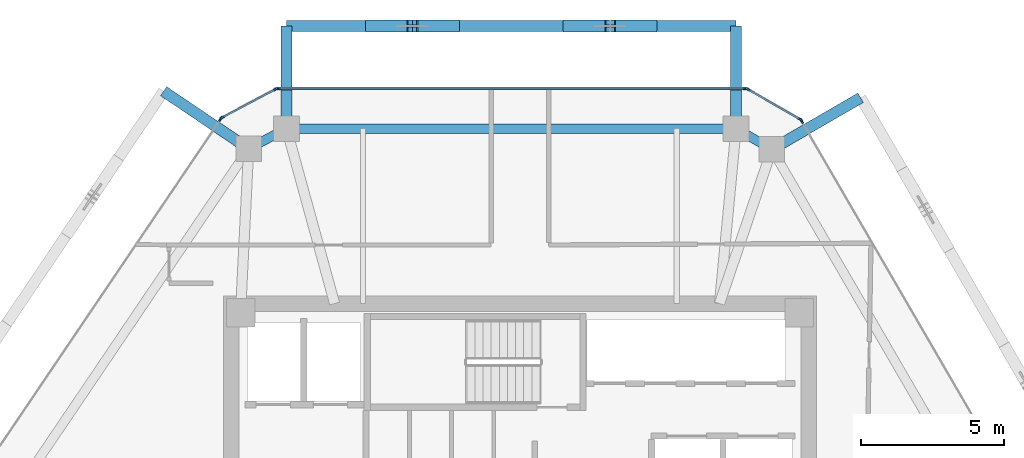
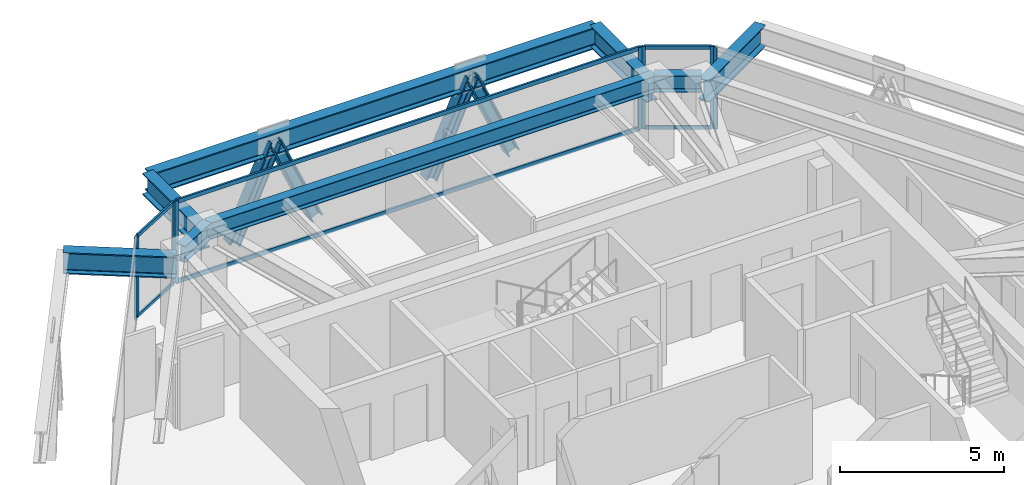
# One storey, part 6 of 12: 18 members, 8 beams, 5 elements without a shape of their own.
"""IFC4 building model written with IfcOpenShell, lengths in metres."""

from ifc_helpers import new_model, si_unit, direction, frame, origin, origin_2d, place, context, subcontext, project, spatial, rectangle, i_section, extrude, source, transform, mapped, material, layer, layer_set, material_profile, profile_set, type_object, type_shapes, element, aggregate, save


model = new_model("IFC4")

# Units and contexts
model_context = context("Model", 3, precision=1e-05, world=origin(), true_north=direction((0.0, 1.0)))
body_context = subcontext(model_context, "Body", "Model", "MODEL_VIEW")
ifc_project = project(units=[si_unit("LENGTHUNIT", "METRE"), si_unit("AREAUNIT", "SQUARE_METRE"), si_unit("VOLUMEUNIT", "CUBIC_METRE"), si_unit("PLANEANGLEUNIT", "RADIAN"), si_unit("MASSUNIT", "GRAM", prefix="KILO")], contexts=[model_context])

# Site, building, storey
site_placement = place(None, origin())
site = spatial("IfcSite", under=ifc_project, at=site_placement, CompositionType="ELEMENT")
building_placement = place(site_placement, origin())
building = spatial("IfcBuilding", under=site, at=building_placement, Name="Durnholm Broadcast Tower", CompositionType="ELEMENT")
storey_placement = place(building_placement, frame((0.0, 0.0, 221.60009765625)))
storey = spatial("IfcBuildingStorey", under=building, at=storey_placement, Name="L61", CompositionType="ELEMENT", Elevation=221.60009765625)

# Beams
ifc_material_1 = material(Name="Steel ASTM A992 Grade 50", Category="steel")
ifc_material_profile_1 = material_profile(ifc_material_1, i_section(OverallWidth=0.385009765625, OverallDepth=0.802978515625, WebThickness=0.023681640625, FlangeThickness=0.0419921875, FilletRadius=0.032958984375, at=origin_2d()), Name="W30X261")
ifc_profile_set_1 = profile_set([ifc_material_profile_1], Name="Steel ASTM A992 Grade 50")
beam_type_1 = type_object("IfcBeamType", Name="BM-EXO-TIE", PredefinedType="USERDEFINED", material=ifc_profile_set_1)
shared_shape_1 = source(origin(), body_context, "Body", "SweptSolid", [
    extrude(i_section(OverallWidth=0.385009765625, OverallDepth=0.802978515625, WebThickness=0.023681640625, FlangeThickness=0.0419921875, FilletRadius=0.032958984375, at=origin_2d()), origin(), (0.0, 0.0, 1.0), 3.4560546875),
])
for number, where, z_axis, x_axis, name in (
    (1, (7.57958984375, 14.406005859375, 2.308349609375), (0.0, 1.0, 0.0), (-1.0, 0.0, 0.0), "L61 exoskeleton stand-off tie bracket F4.1"),
    (2, (-8.187744140625, 14.406005859375, 2.308349609375), (0.0, 1.0, 0.0), (-1.0, 0.0, 0.0), "L61 exoskeleton stand-off tie bracket F4.2"),
):
    element("IfcBeam", number, at=place(storey_placement, frame(where, z_axis=z_axis, x_axis=x_axis)), inside=storey, type_object=beam_type_1, Name=name, ObjectType="GIRDER", PredefinedType="USERDEFINED", context=body_context, shape_type="MappedRepresentation", body=[
        mapped(shared_shape_1, transform((0.0, 0.0, 0.0), x_axis=(1.0, 0.0, 0.0), y_axis=(0.0, 1.0, 0.0), z_axis=(0.0, 0.0, 1.0), scale=1.0)),
    ])
shared_shape_2 = source(origin(), body_context, "Body", "SweptSolid", [
    extrude(i_section(OverallWidth=0.385009765625, OverallDepth=0.802978515625, WebThickness=0.023681640625, FlangeThickness=0.0419921875, FilletRadius=0.032958984375, at=origin_2d()), origin(), (0.0, 0.0, 1.0), 3.455810546875),
])
for number, where, z_axis, x_axis, name in (
    (3, (8.9619140625, 13.610107421875, 2.308349609375), (0.864906682814, 0.501932694715, 0.0), (-0.501932694715, 0.864906682814, 0.0), "L61 exoskeleton stand-off tie bracket F3.2"),
    (4, (-9.63427734375, 13.637939453125, 2.308349609375), (-0.828446342252, 0.560068440469, 0.0), (-0.560068440469, -0.828446342252, 0.0), "L61 exoskeleton stand-off tie bracket F5.1"),
):
    element("IfcBeam", number, at=place(storey_placement, frame(where, z_axis=z_axis, x_axis=x_axis)), inside=storey, type_object=beam_type_1, Name=name, ObjectType="GIRDER", PredefinedType="USERDEFINED", context=body_context, shape_type="MappedRepresentation", body=[
        mapped(shared_shape_2, transform((0.0, 0.0, 0.0), x_axis=(1.0, 0.0, 0.0), y_axis=(0.0, 1.0, 0.0), z_axis=(0.0, 0.0, 1.0), scale=1.0)),
    ])
ifc_material_profile_2 = material_profile(ifc_material_1, i_section(OverallWidth=0.3251953125, OverallDepth=0.6162109375, WebThickness=0.013916015625, FlangeThickness=0.021484375, FilletRadius=0.02783203125, at=origin_2d()), Name="W24X117")
ifc_profile_set_2 = profile_set([ifc_material_profile_2], Name="Steel ASTM A992 Grade 50")
beam_type_2 = type_object("IfcBeamType", Name="STL-SP-W24X117", PredefinedType="SPANDREL", material=ifc_profile_set_2)
shared_shape_3 = source(origin(), body_context, "Body", "SweptSolid", [
    extrude(i_section(OverallWidth=0.3251953125, OverallDepth=0.6162109375, WebThickness=0.013916015625, FlangeThickness=0.021484375, FilletRadius=0.02783203125, at=origin_2d()), origin(), (0.0, 0.0, 1.0), 1.502685546875),
])
beam_1_placement = place(storey_placement, frame((-9.514892578125, 13.557373046875, 2.73681640625), z_axis=(0.883241909673, 0.468917614296, 0.0), x_axis=(-0.468917614296, 0.883241909673, 0.0)))
element("IfcBeam", 5, at=beam_1_placement, inside=storey, type_object=beam_type_2, Name="L61 perimeter spandrel girder 04", PredefinedType="SPANDREL", context=body_context, shape_type="MappedRepresentation", body=[
    mapped(shared_shape_3, transform((0.0, 0.0, 0.0), x_axis=(1.0, 0.0, 0.0), y_axis=(0.0, 1.0, 0.0), z_axis=(0.0, 0.0, 1.0), scale=1.0)),
])
shared_shape_4 = source(origin(), body_context, "Body", "SweptSolid", [
    extrude(i_section(OverallWidth=0.3251953125, OverallDepth=0.6162109375, WebThickness=0.013916015625, FlangeThickness=0.021484375, FilletRadius=0.02783203125, at=origin_2d()), origin(), (0.0, 0.0, 1.0), 15.767333984375),
])
beam_2_placement = place(storey_placement, frame((-8.187744140625, 14.261962890625, 2.73681640625), z_axis=(1.0, 0.0, 0.0), x_axis=(0.0, 1.0, 0.0)))
element("IfcBeam", 6, at=beam_2_placement, inside=storey, type_object=beam_type_2, Name="L61 perimeter spandrel girder 05", PredefinedType="SPANDREL", context=body_context, shape_type="MappedRepresentation", body=[
    mapped(shared_shape_4, transform((0.0, 0.0, 0.0), x_axis=(1.0, 0.0, 0.0), y_axis=(0.0, 1.0, 0.0), z_axis=(0.0, 0.0, 1.0), scale=1.0)),
])
shared_shape_5 = source(origin(), body_context, "Body", "SweptSolid", [
    extrude(i_section(OverallWidth=0.3251953125, OverallDepth=0.6162109375, WebThickness=0.013916015625, FlangeThickness=0.021484375, FilletRadius=0.02783203125, at=origin_2d()), origin(), (0.0, 0.0, 1.0), 1.451416015625),
])
type_shapes(beam_type_2, [shared_shape_3, shared_shape_4, shared_shape_5])
beam_3_placement = place(storey_placement, frame((7.57958984375, 14.261962890625, 2.73681640625), z_axis=(0.866571760088, -0.499052486836, 0.0), x_axis=(0.499052486836, 0.866571760088, 0.0)))
element("IfcBeam", 7, at=beam_3_placement, inside=storey, type_object=beam_type_2, Name="L61 perimeter spandrel girder 06", PredefinedType="SPANDREL", context=body_context, shape_type="MappedRepresentation", body=[
    mapped(shared_shape_5, transform((0.0, 0.0, 0.0), x_axis=(1.0, 0.0, 0.0), y_axis=(0.0, 1.0, 0.0), z_axis=(0.0, 0.0, 1.0), scale=1.0)),
])
shared_shape_6 = source(origin(), body_context, "Body", "SweptSolid", [
    extrude(i_section(OverallWidth=0.385009765625, OverallDepth=0.802978515625, WebThickness=0.023681640625, FlangeThickness=0.0419921875, FilletRadius=0.032958984375, at=origin_2d()), origin(), (0.0, 0.0, 1.0), 15.767333984375),
])
type_shapes(beam_type_1, [shared_shape_1, shared_shape_2, shared_shape_6])
beam_4_placement = place(storey_placement, frame((7.57958984375, 17.862060546875, 2.308349609375), z_axis=(-1.0, 0.0, 0.0), x_axis=(0.0, -1.0, 0.0)))
element("IfcBeam", 8, at=beam_4_placement, inside=storey, type_object=beam_type_1, Name="L61 exoskeleton collector spandrel F4", PredefinedType="SPANDREL", context=body_context, shape_type="MappedRepresentation", body=[
    mapped(shared_shape_6, transform((0.0, 0.0, 0.0), x_axis=(1.0, 0.0, 0.0), y_axis=(0.0, 1.0, 0.0), z_axis=(0.0, 0.0, 1.0), scale=1.0)),
])

# Members
ifc_material_2 = material(Name="Steel ASTM A913 Grade 65", Category="steel")
ifc_material_profile_3 = material_profile(ifc_material_2, i_section(OverallWidth=0.40625, OverallDepth=0.416015625, WebThickness=0.02978515625, FlangeThickness=0.048095703125, FilletRadius=0.030517578125, at=origin_2d()), Name="W14X257")
ifc_profile_set_3 = profile_set([ifc_material_profile_3], Name="Steel ASTM A913 Grade 65")
member_type_1 = type_object("IfcMemberType", Name="STL-DG-W14X257", PredefinedType="BRACE", material=ifc_profile_set_3)
shared_shape_7 = source(origin(), body_context, "Body", "SweptSolid", [
    extrude(i_section(OverallWidth=0.40625, OverallDepth=0.416015625, WebThickness=0.02978515625, FlangeThickness=0.048095703125, FilletRadius=0.030517578125, at=origin_2d()), origin(), (0.0, 0.0, 1.0), 3.607666015625),
])
type_shapes(member_type_1, [shared_shape_7])
for number, where, z_axis, x_axis, name in (
    (9, (4.623046875, 17.862060546875, -0.991455078125), (-0.404209932713, 0.0, 0.914666239836), (0.0, -1.0, 0.0), "L61 stand-off diagrid brace F4.D1.1"),
    (10, (1.70654296875, 17.862060546875, -0.991455078125), (0.404209932713, 0.0, 0.914666239836), (0.0, 1.0, 0.0), "L61 stand-off diagrid brace F4.D1.2"),
    (11, (-2.314697265625, 17.862060546875, -0.991455078125), (-0.404153314314, 0.0, 0.914691258584), (0.0, -1.0, 0.0), "L61 stand-off diagrid brace F4.D2.1"),
    (12, (-5.23095703125, 17.862060546875, -0.991455078125), (0.404209932713, 0.0, 0.914666239836), (0.0, 1.0, 0.0), "L61 stand-off diagrid brace F4.D2.2"),
):
    element("IfcMember", number, at=place(storey_placement, frame(where, z_axis=z_axis, x_axis=x_axis)), inside=storey, type_object=member_type_1, Name=name, PredefinedType="BRACE", context=body_context, shape_type="MappedRepresentation", body=[
        mapped(shared_shape_7, transform((0.0, 0.0, 0.0), x_axis=(1.0, 0.0, 0.0), y_axis=(0.0, 1.0, 0.0), z_axis=(0.0, 0.0, 1.0), scale=1.0)),
    ])

# Curtain wall, members
ifc_material_3 = material(Name="Aluminium and Solar Control IGU", Category="aluminium")
ifc_layer_1 = layer(ifc_material_3, 0.1650390625)
ifc_layer_set_1 = layer_set([ifc_layer_1], Name="Aluminium and Solar Control IGU")
curtain_wall_type_1 = type_object("IfcCurtainWallType", Name="CW-SYS-5", PredefinedType="NOTDEFINED", material=ifc_layer_set_1)
curtain_wall_1_placement = place(storey_placement, origin())
curtain_wall_1 = element("IfcCurtainWall", 13, at=curtain_wall_1_placement, inside=storey, type_object=curtain_wall_type_1, Name="L61 curtain wall CW-CORNER CW-L61-CRN-03", PredefinedType="NOTDEFINED")
ifc_material_4 = material(Name="Aluminium 6063-T6", Category="aluminium")
ifc_material_profile_4 = material_profile(ifc_material_4, rectangle(XDim=0.06494140625, YDim=0.1298828125, at=origin_2d()), Name="CWT65X130")
ifc_profile_set_4 = profile_set([ifc_material_profile_4], Name="Aluminium 6063-T6")
member_type_2 = type_object("IfcMemberType", Name="CW-SYS-5-TRN", PredefinedType="USERDEFINED", material=ifc_profile_set_4)
shared_shape_8 = source(origin(), body_context, "Body", "SweptSolid", [
    extrude(rectangle(XDim=0.06494140625, YDim=0.1298828125, at=origin_2d()), origin(), (0.0, 0.0, 1.0), 2.070068359375),
])
type_shapes(member_type_2, [shared_shape_8])
member_1_placement = place(storey_placement, frame((-10.421875, 14.66064453125, 0.032470703125), z_axis=(0.883164581026, 0.469063239682, 0.0), x_axis=(-0.469063239682, 0.883164581026, 0.0)))
member_1 = element("IfcMember", 14, at=member_1_placement, type_object=member_type_2, Name="CW-CORNER transom 1.1", ObjectType="TRANSOM", PredefinedType="USERDEFINED", context=body_context, shape_type="MappedRepresentation", body=[
    mapped(shared_shape_8, transform((0.0, 0.0, 0.0), x_axis=(1.0, 0.0, 0.0), y_axis=(0.0, 1.0, 0.0), z_axis=(0.0, 0.0, 1.0), scale=1.0)),
])
member_2_placement = place(storey_placement, frame((-10.421875, 14.66064453125, 3.02734375), z_axis=(0.883164581026, 0.469063239682, 0.0), x_axis=(-0.469063239682, 0.883164581026, 0.0)))
member_2 = element("IfcMember", 15, at=member_2_placement, type_object=member_type_2, Name="CW-CORNER transom 1.2", ObjectType="TRANSOM", PredefinedType="USERDEFINED", context=body_context, shape_type="MappedRepresentation", body=[
    mapped(shared_shape_8, transform((0.0, 0.0, 0.0), x_axis=(1.0, 0.0, 0.0), y_axis=(0.0, 1.0, 0.0), z_axis=(0.0, 0.0, 1.0), scale=1.0)),
])

curtain_wall_2_placement = place(storey_placement, origin())
curtain_wall_2 = element("IfcCurtainWall", 16, at=curtain_wall_2_placement, inside=storey, type_object=curtain_wall_type_1, Name="L61 curtain wall CW-CORNER CW-L61-CRN-05", PredefinedType="NOTDEFINED")
member_3_placement = place(storey_placement, frame((8.01025390625, 15.629638671875, 0.032470703125), z_axis=(0.866525076636, -0.499133540809, 0.0), x_axis=(0.499133540809, 0.866525076636, 0.0)))
member_3 = element("IfcMember", 17, at=member_3_placement, type_object=member_type_2, Name="CW-CORNER transom 1.1", ObjectType="TRANSOM", PredefinedType="USERDEFINED", context=body_context, shape_type="MappedRepresentation", body=[
    mapped(shared_shape_8, transform((0.0, 0.0, 0.0), x_axis=(1.0, 0.0, 0.0), y_axis=(0.0, 1.0, 0.0), z_axis=(0.0, 0.0, 1.0), scale=1.0)),
])
member_4_placement = place(storey_placement, frame((8.01025390625, 15.629638671875, 3.02734375), z_axis=(0.866525076636, -0.499133540809, 0.0), x_axis=(0.499133540809, 0.866525076636, 0.0)))
member_4 = element("IfcMember", 18, at=member_4_placement, type_object=member_type_2, Name="CW-CORNER transom 1.2", ObjectType="TRANSOM", PredefinedType="USERDEFINED", context=body_context, shape_type="MappedRepresentation", body=[
    mapped(shared_shape_8, transform((0.0, 0.0, 0.0), x_axis=(1.0, 0.0, 0.0), y_axis=(0.0, 1.0, 0.0), z_axis=(0.0, 0.0, 1.0), scale=1.0)),
])

# Member
ifc_material_profile_5 = material_profile(ifc_material_4, rectangle(XDim=0.06494140625, YDim=0.1650390625, at=origin_2d()), Name="CWM65X165")
ifc_profile_set_5 = profile_set([ifc_material_profile_5], Name="Aluminium 6063-T6")
member_type_3 = type_object("IfcMemberType", Name="CW-SYS-5-MUL", PredefinedType="MULLION", material=ifc_profile_set_5)
shared_shape_9 = source(origin(), body_context, "Body", "SweptSolid", [
    extrude(rectangle(XDim=0.06494140625, YDim=0.1650390625, at=origin_2d()), origin(), (0.0, 0.0, 1.0), 3.059814453125),
])
type_shapes(member_type_3, [shared_shape_9])
member_5_placement = place(storey_placement, frame((-10.45068359375, 14.6455078125, 0.0), z_axis=(0.0, 0.0, 1.0), x_axis=(-0.469006771575, 0.883194569853, 0.0)))
member_5 = element("IfcMember", 19, at=member_5_placement, type_object=member_type_3, Name="CW-CORNER mullion 1", PredefinedType="MULLION", context=body_context, shape_type="MappedRepresentation", body=[
    mapped(shared_shape_9, transform((0.0, 0.0, 0.0), x_axis=(1.0, 0.0, 0.0), y_axis=(0.0, 1.0, 0.0), z_axis=(0.0, 0.0, 1.0), scale=1.0)),
])

member_6_placement = place(storey_placement, frame((-8.565185546875, 15.646728515625, 0.0), z_axis=(0.0, 0.0, 1.0), x_axis=(-0.469006771575, 0.883194569853, 0.0)))
member_6 = element("IfcMember", 20, at=member_6_placement, type_object=member_type_3, Name="CW-CORNER mullion 2", PredefinedType="MULLION", context=body_context, shape_type="MappedRepresentation", body=[
    mapped(shared_shape_9, transform((0.0, 0.0, 0.0), x_axis=(1.0, 0.0, 0.0), y_axis=(0.0, 1.0, 0.0), z_axis=(0.0, 0.0, 1.0), scale=1.0)),
])

aggregate(curtain_wall_1, [member_5, member_6, member_1, member_2])

member_7_placement = place(storey_placement, frame((7.982177734375, 15.645751953125, 0.0), z_axis=(0.0, 0.0, 1.0), x_axis=(0.499058582333, 0.866568249707, 0.0)))
member_7 = element("IfcMember", 21, at=member_7_placement, type_object=member_type_3, Name="CW-CORNER mullion 1", PredefinedType="MULLION", context=body_context, shape_type="MappedRepresentation", body=[
    mapped(shared_shape_9, transform((0.0, 0.0, 0.0), x_axis=(1.0, 0.0, 0.0), y_axis=(0.0, 1.0, 0.0), z_axis=(0.0, 0.0, 1.0), scale=1.0)),
])

member_8_placement = place(storey_placement, frame((9.832275390625, 14.580322265625, 0.0), z_axis=(0.0, 0.0, 1.0), x_axis=(0.499058582333, 0.866568249707, 0.0)))
member_8 = element("IfcMember", 22, at=member_8_placement, type_object=member_type_3, Name="CW-CORNER mullion 2", PredefinedType="MULLION", context=body_context, shape_type="MappedRepresentation", body=[
    mapped(shared_shape_9, transform((0.0, 0.0, 0.0), x_axis=(1.0, 0.0, 0.0), y_axis=(0.0, 1.0, 0.0), z_axis=(0.0, 0.0, 1.0), scale=1.0)),
])

aggregate(curtain_wall_2, [member_7, member_8, member_3, member_4])

# Curtain wall, member
ifc_layer_2 = layer(ifc_material_3, 0.18994140625)
ifc_layer_set_2 = layer_set([ifc_layer_2], Name="Aluminium and Solar Control IGU")
curtain_wall_type_2 = type_object("IfcCurtainWallType", Name="CW-SYS-4", PredefinedType="NOTDEFINED", material=ifc_layer_set_2)
curtain_wall_3_placement = place(storey_placement, origin())
curtain_wall_3 = element("IfcCurtainWall", 23, at=curtain_wall_3_placement, inside=storey, type_object=curtain_wall_type_2, Name="L61 curtain wall CW-Z34-VIS CW-L61-F02", PredefinedType="NOTDEFINED")
ifc_material_profile_6 = material_profile(ifc_material_4, rectangle(XDim=0.070068359375, YDim=0.18994140625, at=origin_2d()), Name="CWM70X190")
ifc_profile_set_6 = profile_set([ifc_material_profile_6], Name="Aluminium 6063-T6")
member_type_4 = type_object("IfcMemberType", Name="CW-SYS-4-MUL", PredefinedType="MULLION", material=ifc_profile_set_6)
shared_shape_10 = source(origin(), body_context, "Body", "SweptSolid", [
    extrude(rectangle(XDim=0.070068359375, YDim=0.18994140625, at=origin_2d()), origin(), (0.0, 0.0, 1.0), 3.059814453125),
])
type_shapes(member_type_4, [shared_shape_10])
member_9_placement = place(storey_placement, frame((-10.4990234375, 14.601318359375, 0.0), z_axis=(0.0, 0.0, 1.0), x_axis=(-0.828443431662, 0.560072745753, 0.0)))
member_9 = element("IfcMember", 24, at=member_9_placement, type_object=member_type_4, Name="CW-Z34-VIS mullion 2", PredefinedType="MULLION", context=body_context, shape_type="MappedRepresentation", body=[
    mapped(shared_shape_10, transform((0.0, 0.0, 0.0), x_axis=(1.0, 0.0, 0.0), y_axis=(0.0, 1.0, 0.0), z_axis=(0.0, 0.0, 1.0), scale=1.0)),
])
aggregate(curtain_wall_3, [member_9])

# Curtain wall, members
curtain_wall_4_placement = place(storey_placement, origin())
curtain_wall_4 = element("IfcCurtainWall", 25, at=curtain_wall_4_placement, inside=storey, type_object=curtain_wall_type_2, Name="L61 curtain wall CW-Z34-VIS CW-L61-F04", PredefinedType="NOTDEFINED")
member_10_placement = place(storey_placement, frame((-8.50146484375, 15.662109375, 0.0), z_axis=(0.0, 0.0, 1.0), x_axis=(0.0, 1.0, 0.0)))
member_10 = element("IfcMember", 26, at=member_10_placement, type_object=member_type_4, Name="CW-Z34-VIS mullion 1", PredefinedType="MULLION", context=body_context, shape_type="MappedRepresentation", body=[
    mapped(shared_shape_10, transform((0.0, 0.0, 0.0), x_axis=(1.0, 0.0, 0.0), y_axis=(0.0, 1.0, 0.0), z_axis=(0.0, 0.0, 1.0), scale=1.0)),
])
member_11_placement = place(storey_placement, frame((7.9189453125, 15.662109375, 0.0), z_axis=(0.0, 0.0, 1.0), x_axis=(0.0, 1.0, 0.0)))
member_11 = element("IfcMember", 27, at=member_11_placement, type_object=member_type_4, Name="CW-Z34-VIS mullion 2", PredefinedType="MULLION", context=body_context, shape_type="MappedRepresentation", body=[
    mapped(shared_shape_10, transform((0.0, 0.0, 0.0), x_axis=(1.0, 0.0, 0.0), y_axis=(0.0, 1.0, 0.0), z_axis=(0.0, 0.0, 1.0), scale=1.0)),
])

# Curtain wall, member
curtain_wall_5_placement = place(storey_placement, origin())
curtain_wall_5 = element("IfcCurtainWall", 28, at=curtain_wall_5_placement, inside=storey, type_object=curtain_wall_type_2, Name="L61 curtain wall CW-Z34-VIS CW-L61-F06", PredefinedType="NOTDEFINED")
member_12_placement = place(storey_placement, frame((9.8779296875, 14.533935546875, 0.0), z_axis=(0.0, 0.0, 1.0), x_axis=(0.864899883824, 0.50194441023, 0.0)))
member_12 = element("IfcMember", 29, at=member_12_placement, type_object=member_type_4, Name="CW-Z34-VIS mullion 1", PredefinedType="MULLION", context=body_context, shape_type="MappedRepresentation", body=[
    mapped(shared_shape_10, transform((0.0, 0.0, 0.0), x_axis=(1.0, 0.0, 0.0), y_axis=(0.0, 1.0, 0.0), z_axis=(0.0, 0.0, 1.0), scale=1.0)),
])
aggregate(curtain_wall_5, [member_12])

# Member
ifc_material_profile_7 = material_profile(ifc_material_4, rectangle(XDim=0.070068359375, YDim=0.14990234375, at=origin_2d()), Name="CWT70X150")
ifc_profile_set_7 = profile_set([ifc_material_profile_7], Name="Aluminium 6063-T6")
member_type_5 = type_object("IfcMemberType", Name="CW-SYS-4-TRN", PredefinedType="USERDEFINED", material=ifc_profile_set_7)
shared_shape_11 = source(origin(), body_context, "Body", "SweptSolid", [
    extrude(rectangle(XDim=0.070068359375, YDim=0.14990234375, at=origin_2d()), origin(), (0.0, 0.0, 1.0), 16.350341796875),
])
type_shapes(member_type_5, [shared_shape_11])
member_13_placement = place(storey_placement, frame((-8.46630859375, 15.662109375, 0.034912109375), z_axis=(1.0, 0.0, 0.0), x_axis=(0.0, 1.0, 0.0)))
member_13 = element("IfcMember", 30, at=member_13_placement, type_object=member_type_5, Name="CW-Z34-VIS transom 1.1", ObjectType="TRANSOM", PredefinedType="USERDEFINED", context=body_context, shape_type="MappedRepresentation", body=[
    mapped(shared_shape_11, transform((0.0, 0.0, 0.0), x_axis=(1.0, 0.0, 0.0), y_axis=(0.0, 1.0, 0.0), z_axis=(0.0, 0.0, 1.0), scale=1.0)),
])

member_14_placement = place(storey_placement, frame((-8.46630859375, 15.662109375, 3.02490234375), z_axis=(1.0, 0.0, 0.0), x_axis=(0.0, 1.0, 0.0)))
member_14 = element("IfcMember", 31, at=member_14_placement, type_object=member_type_5, Name="CW-Z34-VIS transom 1.2", ObjectType="TRANSOM", PredefinedType="USERDEFINED", context=body_context, shape_type="MappedRepresentation", body=[
    mapped(shared_shape_11, transform((0.0, 0.0, 0.0), x_axis=(1.0, 0.0, 0.0), y_axis=(0.0, 1.0, 0.0), z_axis=(0.0, 0.0, 1.0), scale=1.0)),
])

aggregate(curtain_wall_4, [member_10, member_11, member_13, member_14])

save(model, "model.ifc")
